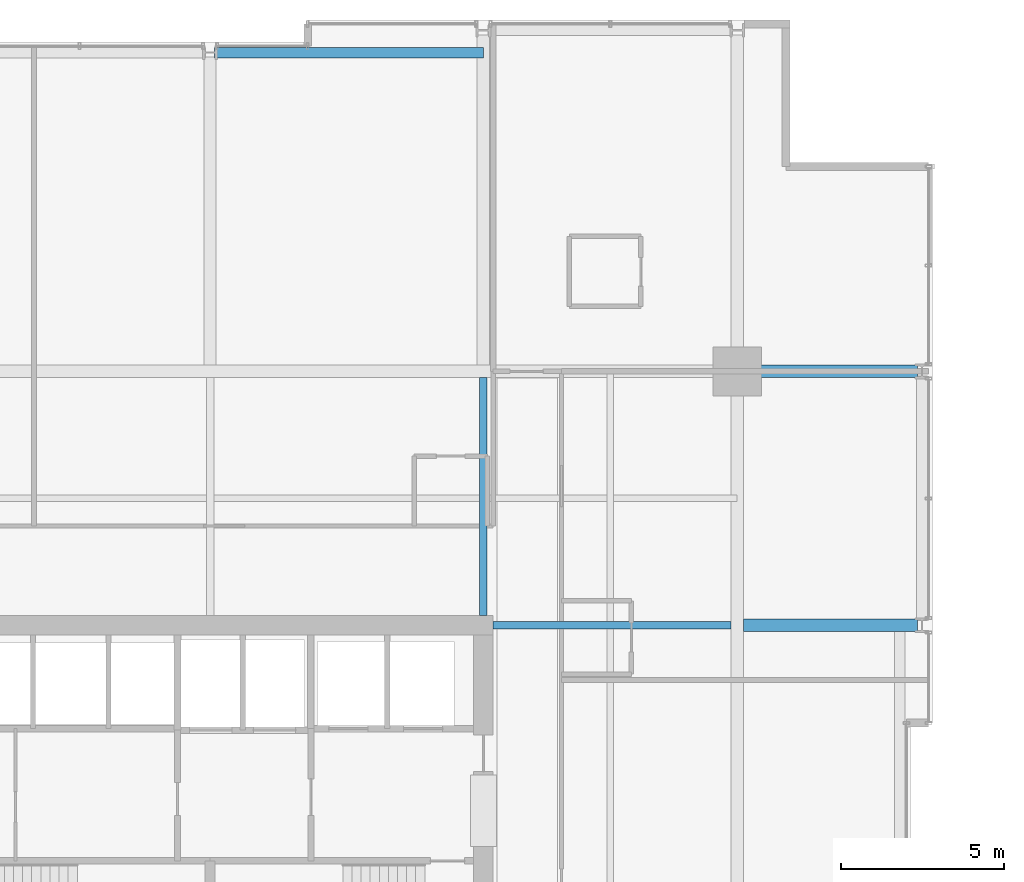
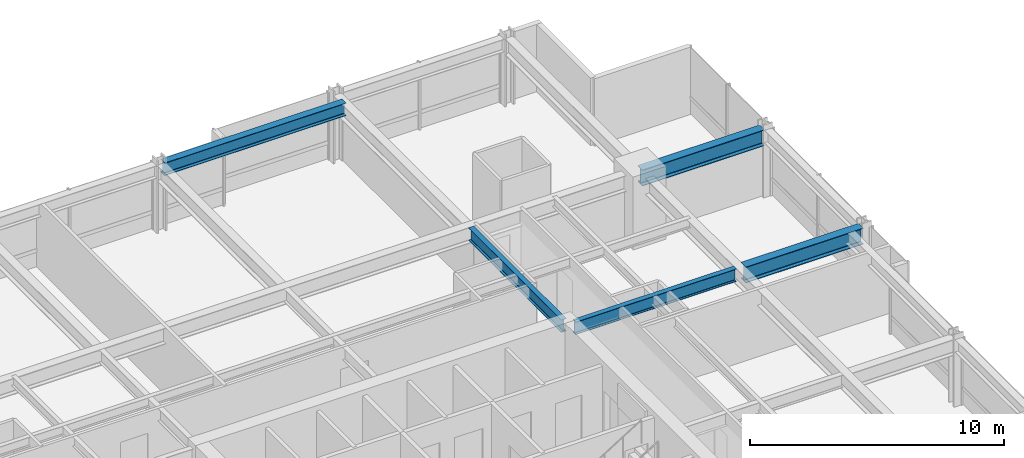
# One storey, part 23 of 34: 5 beams.
"""IFC4 building model written with IfcOpenShell, lengths in metres."""

from ifc_helpers import new_model, si_unit, direction, frame, origin, origin_2d, place, context, subcontext, project, spatial, i_section, extrude, material, material_profile, profile_set, type_object, element, save


model = new_model("IFC4")

# Units and contexts
model_context = context("Model", 3, precision=1e-05, world=origin(), true_north=direction((0.0, 1.0)))
body_context = subcontext(model_context, "Body", "Model", "MODEL_VIEW")
ifc_project = project(units=[si_unit("LENGTHUNIT", "METRE"), si_unit("AREAUNIT", "SQUARE_METRE"), si_unit("VOLUMEUNIT", "CUBIC_METRE"), si_unit("PLANEANGLEUNIT", "RADIAN"), si_unit("MASSUNIT", "GRAM", prefix="KILO")], contexts=[model_context])

# Site, building, storey
site_placement = place(None, origin())
site = spatial("IfcSite", under=ifc_project, at=site_placement, CompositionType="ELEMENT")
building_placement = place(site_placement, origin())
building = spatial("IfcBuilding", under=site, at=building_placement, Name="Drelvath Grand Hotel", CompositionType="ELEMENT")
storey_placement = place(building_placement, frame((0.0, 0.0, 112.800048828125)))
storey = spatial("IfcBuildingStorey", under=building, at=storey_placement, Name="L28", CompositionType="ELEMENT", Elevation=112.800048828125)

# Beams
ifc_material = material(Name="Steel ASTM A992 Gr 50", Category="steel")
ifc_material_profile_1 = material_profile(ifc_material, i_section(OverallWidth=0.323974609375, OverallDepth=0.611083984375, WebThickness=0.0126953125, FlangeThickness=0.01904296875, FilletRadius=0.02197265625, at=origin_2d()), Name="W24X104")
ifc_profile_set_1 = profile_set([ifc_material_profile_1], Name="Steel ASTM A992 Gr 50")
beam_type_1 = type_object("IfcBeamType", Name="Perimeter Spandrel Beam W24X104", PredefinedType="SPANDREL", material=ifc_profile_set_1)
beam_1_placement = place(storey_placement, frame((0.139892578125, 53.0, 2.9345703125), z_axis=(1.0, 0.0, 0.0), x_axis=(0.0, 1.0, 0.0)))
element("IfcBeam", 1, at=beam_1_placement, inside=storey, type_object=beam_type_1, Name="L28 Spandrel North Mid E", PredefinedType="SPANDREL", context=body_context, shape_type="SweptSolid", body=[
    extrude(i_section(OverallWidth=0.323974609375, OverallDepth=0.611083984375, WebThickness=0.0126953125, FlangeThickness=0.01904296875, FilletRadius=0.02197265625, at=origin_2d()), origin(), (0.0, 0.0, 1.0), 8.260009765625),
])
ifc_material_profile_2 = material_profile(ifc_material, i_section(OverallWidth=0.228271484375, OverallDepth=0.607666015625, WebThickness=0.01123046875, FlangeThickness=0.017333984375, FilletRadius=0.02001953125, at=origin_2d()), Name="W24X76")
ifc_profile_set_2 = profile_set([ifc_material_profile_2], Name="Steel ASTM A992 Gr 50")
beam_type_2 = type_object("IfcBeamType", Name="Primary Floor Girder W24X76", PredefinedType="BEAM", material=ifc_profile_set_2)
for number, where, z_axis, x_axis, name in (
    (2, (8.699951171875, 35.39990234375, 2.93603515625), (1.0, 0.0, 0.0), (0.0, 1.0, 0.0), "L28 East Core Tie F"),
    (3, (8.39990234375, 35.699951171875, 2.93603515625), (0.0, 1.0, 0.0), (-1.0, 0.0, 0.0), "L28 North Core Tie 6"),
):
    element("IfcBeam", number, at=place(storey_placement, frame(where, z_axis=z_axis, x_axis=x_axis)), inside=storey, type_object=beam_type_2, Name=name, PredefinedType="BEAM", context=body_context, shape_type="SweptSolid", body=[
        extrude(i_section(OverallWidth=0.228271484375, OverallDepth=0.607666015625, WebThickness=0.01123046875, FlangeThickness=0.017333984375, FilletRadius=0.02001953125, at=origin_2d()), origin(), (0.0, 0.0, 1.0), 7.309814453125),
    ])
ifc_material_profile_3 = material_profile(ifc_material, i_section(OverallWidth=0.380615234375, OverallDepth=0.773193359375, WebThickness=0.0166015625, FlangeThickness=0.027099609375, FilletRadius=0.02490234375, at=origin_2d()), Name="W30X173")
ifc_profile_set_3 = profile_set([ifc_material_profile_3], Name="Steel ASTM A992 Gr 50")
beam_type_3 = type_object("IfcBeamType", Name="Primary Floor Girder W30X173", PredefinedType="BEAM", material=ifc_profile_set_3)
beam_2_placement = place(storey_placement, frame((16.199951171875, 43.199951171875, 2.853271484375), z_axis=(1.0, 0.0, 0.0), x_axis=(0.0, 1.0, 0.0)))
element("IfcBeam", 4, at=beam_2_placement, inside=storey, type_object=beam_type_3, Name="L28 East Grid Girder G", PredefinedType="BEAM", context=body_context, shape_type="SweptSolid", body=[
    extrude(i_section(OverallWidth=0.380615234375, OverallDepth=0.773193359375, WebThickness=0.0166015625, FlangeThickness=0.027099609375, FilletRadius=0.02490234375, at=origin_2d()), origin(), (0.0, 0.0, 1.0), 5.5400390625),
])
beam_3_placement = place(storey_placement, frame((16.390380859375, 35.39990234375, 2.853271484375), z_axis=(1.0, 0.0, 0.0), x_axis=(0.0, 1.0, 0.0)))
element("IfcBeam", 5, at=beam_3_placement, inside=storey, type_object=beam_type_3, Name="L28 East Wing Girder F", PredefinedType="BEAM", context=body_context, shape_type="SweptSolid", body=[
    extrude(i_section(OverallWidth=0.380615234375, OverallDepth=0.773193359375, WebThickness=0.0166015625, FlangeThickness=0.027099609375, FilletRadius=0.02490234375, at=origin_2d()), origin(), (0.0, 0.0, 1.0), 5.349609375),
])

save(model, "model.ifc")
